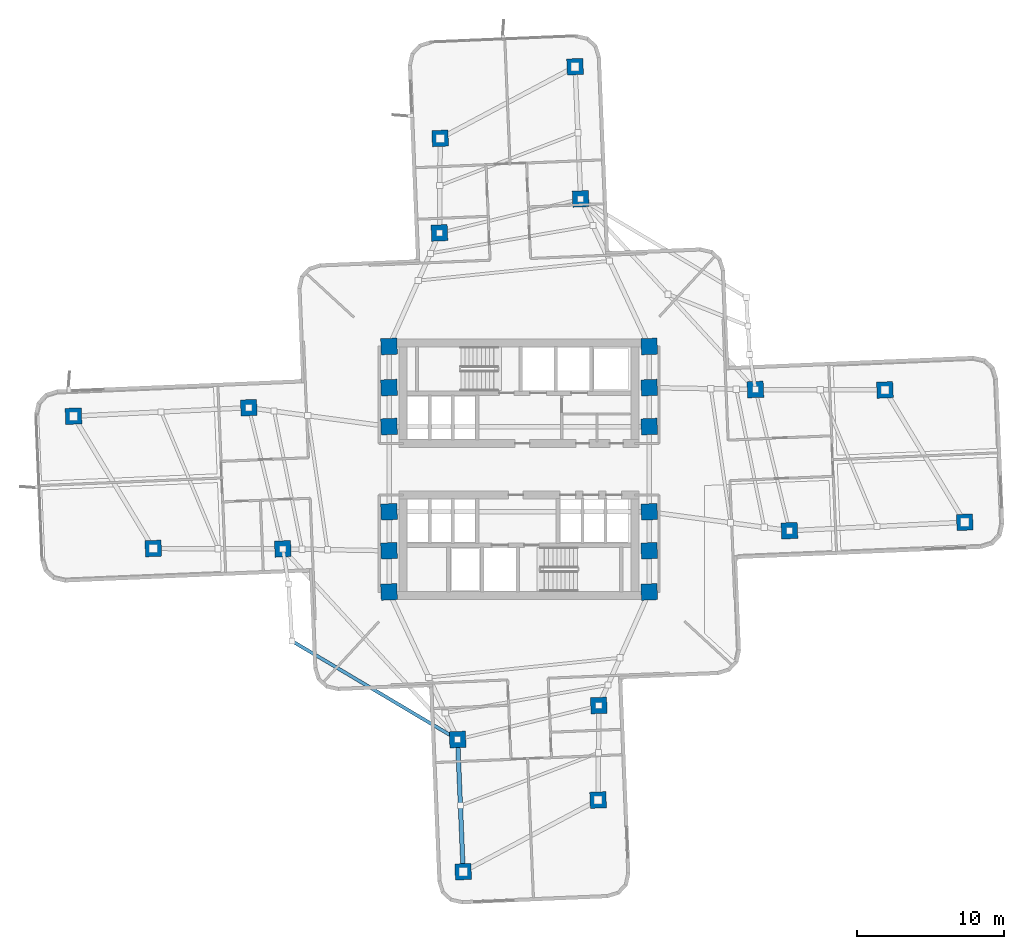
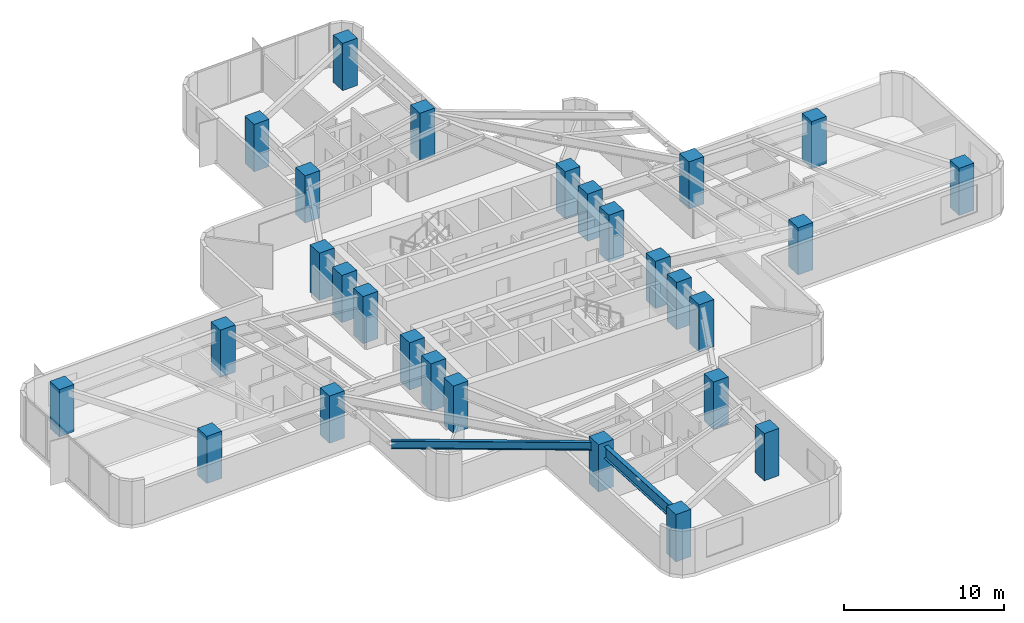
# One storey, part 1 of 15: 28 columns, 2 beams.
"""IFC4 building model written with IfcOpenShell, lengths in metres."""

from ifc_helpers import new_model, si_unit, direction, frame, origin, origin_2d, place, context, subcontext, project, spatial, rectangle, i_section, extrude, material, material_profile, profile_set, type_object, element, save


model = new_model("IFC4")

# Units and contexts
model_context = context("Model", 3, precision=1e-05, world=origin(), true_north=direction((0.0, 1.0)))
body_context = subcontext(model_context, "Body", "Model", "MODEL_VIEW")
ifc_project = project(units=[si_unit("LENGTHUNIT", "METRE"), si_unit("AREAUNIT", "SQUARE_METRE"), si_unit("VOLUMEUNIT", "CUBIC_METRE"), si_unit("PLANEANGLEUNIT", "RADIAN"), si_unit("MASSUNIT", "GRAM", prefix="KILO")], contexts=[model_context])

# Site, building, storey
site_placement = place(None, origin())
site = spatial("IfcSite", under=ifc_project, at=site_placement, CompositionType="ELEMENT")
building_placement = place(site_placement, origin())
building = spatial("IfcBuilding", under=site, at=building_placement, Name="Solmarez Civic Tower", CompositionType="ELEMENT")
storey_placement = place(building_placement, frame((0.0, 0.0, 46.080078125)))
storey = spatial("IfcBuildingStorey", under=building, at=storey_placement, Name="L11", CompositionType="ELEMENT", Elevation=46.080078125)

# Columns
ifc_material_1 = material(Name="Concrete C60/75", Category="concrete")
ifc_material_profile_1 = material_profile(ifc_material_1, rectangle(XDim=1.10009765625, YDim=1.10009765625, at=origin_2d()), Name="RC1100X1100")
ifc_profile_set_1 = profile_set([ifc_material_profile_1], Name="Concrete C60/75")
column_type = type_object("IfcColumnType", Name="COL-RC1100", PredefinedType="COLUMN", material=ifc_profile_set_1)
for number, where, z_axis, x_axis, name in (
    (1, (-8.85009765625, -5.550048828125, 0.0), (0.0, 0.0, 1.0), (0.999122830099, 0.041875653729, 0.0), "L11 Structural Column HC1"),
    (2, (-8.85009765625, -2.89990234375, 0.0), (0.0, 0.0, 1.0), (0.999122830099, 0.041875653729, 0.0), "L11 Structural Column HC2"),
    (3, (-8.85009765625, 2.89990234375, 0.0), (0.0, 0.0, 1.0), (0.999122830099, 0.041875653729, 0.0), "L11 Structural Column HC3"),
    (4, (-8.85009765625, 5.550048828125, 0.0), (0.0, 0.0, 1.0), (0.999122830099, 0.041875653729, 0.0), "L11 Structural Column HC4"),
    (5, (8.85009765625, -5.550048828125, 0.0), (0.0, 0.0, 1.0), (0.999122830099, 0.041875653729, 0.0), "L11 Structural Column HC5"),
    (6, (8.85009765625, -2.89990234375, 0.0), (0.0, 0.0, 1.0), (0.999122830099, 0.041875653729, 0.0), "L11 Structural Column HC6"),
    (7, (8.85009765625, 2.89990234375, 0.0), (0.0, 0.0, 1.0), (0.999122830099, 0.041875653729, 0.0), "L11 Structural Column HC7"),
    (8, (8.85009765625, 5.550048828125, 0.0), (0.0, 0.0, 1.0), (0.999122830099, 0.041875653729, 0.0), "L11 Structural Column HC8"),
    (9, (-8.85009765625, 8.35009765625, 0.0), (0.0, 0.0, 1.0), (0.999122830099, 0.041875653729, 0.0), "L11 Structural Column HC9"),
    (10, (8.85009765625, -8.35009765625, 0.0), (0.0, 0.0, 1.0), (0.999122830099, 0.041875653729, 0.0), "L11 Structural Column HC10"),
    (11, (8.85009765625, 8.35009765625, 0.0), (0.0, 0.0, 1.0), (0.999122830099, 0.041875653729, 0.0), "L11 Structural Column HC11"),
    (12, (-8.85009765625, -8.35009765625, 0.0), (0.0, 0.0, 1.0), (0.999122830099, 0.041875653729, 0.0), "L11 Structural Column HC12"),
    (13, (18.39111328125, -4.18408203125, 0.0), (0.0, 0.0, 1.0), (0.999122830099, 0.041875653729, 0.0), "L11 Structural Column EA11"),
    (14, (16.075927734375, 5.4208984375, 0.0), (0.0, 0.0, 1.0), (0.999122830099, 0.041875653729, 0.0), "L11 Structural Column EA12"),
    (15, (30.318115234375, -3.60888671875, 0.0), (0.0, 0.0, 1.0), (0.999122830099, 0.041875653729, 0.0), "L11 Structural Column EA21"),
    (16, (24.887939453125, 5.39306640625, 0.0), (0.0, 0.0, 1.0), (0.999122830099, 0.041875653729, 0.0), "L11 Structural Column EA22"),
    (17, (4.18408203125, 18.39111328125, 0.0), (0.0, 0.0, 1.0), (0.999122830099, 0.041875653729, 0.0), "L11 Structural Column NA11"),
    (18, (-5.4208984375, 16.075927734375, 0.0), (0.0, 0.0, 1.0), (0.999122830099, 0.041875653729, 0.0), "L11 Structural Column NA12"),
    (19, (3.806884765625, 27.383056640625, 0.0), (0.0, 0.0, 1.0), (0.999122830099, 0.041875653729, 0.0), "L11 Structural Column NA21"),
    (20, (-5.3720703125, 22.507080078125, 0.0), (0.0, 0.0, 1.0), (0.999122830099, 0.041875653729, 0.0), "L11 Structural Column NA22"),
    (21, (-18.39111328125, 4.18408203125, 0.0), (0.0, 0.0, 1.0), (0.999122830099, 0.041875653729, 0.0), "L11 Structural Column WA11"),
    (22, (-16.075927734375, -5.4208984375, 0.0), (0.0, 0.0, 1.0), (0.999122830099, 0.041875653729, 0.0), "L11 Structural Column WA12"),
    (23, (-30.318115234375, 3.60888671875, 0.0), (0.0, 0.0, 1.0), (0.999122830099, 0.041875653729, 0.0), "L11 Structural Column WA21"),
    (24, (-24.887939453125, -5.39306640625, 0.0), (0.0, 0.0, 1.0), (0.999122830099, 0.041875653729, 0.0), "L11 Structural Column WA22"),
    (25, (-4.18408203125, -18.39111328125, 0.0), (0.0, 0.0, 1.0), (0.999122830099, 0.041875653729, 0.0), "L11 Structural Column SA11"),
    (26, (5.4208984375, -16.075927734375, 0.0), (0.0, 0.0, 1.0), (0.999122830099, 0.041875653729, 0.0), "L11 Structural Column SA12"),
    (27, (-3.806884765625, -27.383056640625, 0.0), (0.0, 0.0, 1.0), (0.999122830099, 0.041875653729, 0.0), "L11 Structural Column SA21"),
    (28, (5.3720703125, -22.507080078125, 0.0), (0.0, 0.0, 1.0), (0.999122830099, 0.041875653729, 0.0), "L11 Structural Column SA22"),
):
    element("IfcColumn", number, at=place(storey_placement, frame(where, z_axis=z_axis, x_axis=x_axis)), inside=storey, type_object=column_type, Name=name, PredefinedType="COLUMN", context=body_context, shape_type="SweptSolid", body=[
        extrude(rectangle(XDim=1.10009765625, YDim=1.10009765625, at=origin_2d()), origin(), (0.0, 0.0, 1.0), 3.599853515625),
    ])

# Beams
ifc_material_2 = material(Name="Steel S355", Category="steel")
ifc_material_profile_2 = material_profile(ifc_material_2, i_section(OverallWidth=0.303955078125, OverallDepth=0.910888671875, WebThickness=0.015869140625, FlangeThickness=0.02392578125, at=origin_2d()), Name="W36X150")
ifc_profile_set_2 = profile_set([ifc_material_profile_2], Name="Steel S355")
beam_type_1 = type_object("IfcBeamType", Name="BM-PR-W36X150", PredefinedType="BEAM", material=ifc_profile_set_2)
beam_1_placement = place(storey_placement, frame((-4.18408203125, -18.39111328125, 2.864013671875), z_axis=(0.041911499832, -0.999121327058, 0.0), x_axis=(0.999121327058, 0.041911499832, 0.0)))
element("IfcBeam", 29, at=beam_1_placement, inside=storey, type_object=beam_type_1, Name="L11 Primary Floor Beam BM-L11-SA-R2A", PredefinedType="BEAM", context=body_context, shape_type="SweptSolid", body=[
    extrude(i_section(OverallWidth=0.303955078125, OverallDepth=0.910888671875, WebThickness=0.015869140625, FlangeThickness=0.02392578125, at=origin_2d()), origin(), (0.0, 0.0, 1.0), 8.999755859375),
])
ifc_material_profile_3 = material_profile(ifc_material_2, i_section(OverallWidth=0.22900390625, OverallDepth=0.612060546875, WebThickness=0.011962890625, FlangeThickness=0.01953125, at=origin_2d()), Name="W24X84")
ifc_profile_set_3 = profile_set([ifc_material_profile_3], Name="Steel S355")
beam_type_2 = type_object("IfcBeamType", Name="BM-SP-W24X84", PredefinedType="SPANDREL", material=ifc_profile_set_3)
beam_2_placement = place(storey_placement, frame((-4.18408203125, -18.39111328125, 3.013916015625), z_axis=(-0.859479031242, 0.511171003536, 0.0), x_axis=(-0.511171003536, -0.859479031242, 0.0)))
element("IfcBeam", 30, at=beam_2_placement, inside=storey, type_object=beam_type_2, Name="L11 Perimeter Spandrel Beam BM-L11-BALC-SW2", PredefinedType="SPANDREL", context=body_context, shape_type="SweptSolid", body=[
    extrude(i_section(OverallWidth=0.22900390625, OverallDepth=0.612060546875, WebThickness=0.011962890625, FlangeThickness=0.01953125, at=origin_2d()), origin(), (0.0, 0.0, 1.0), 13.103271484375),
])

save(model, "model.ifc")
